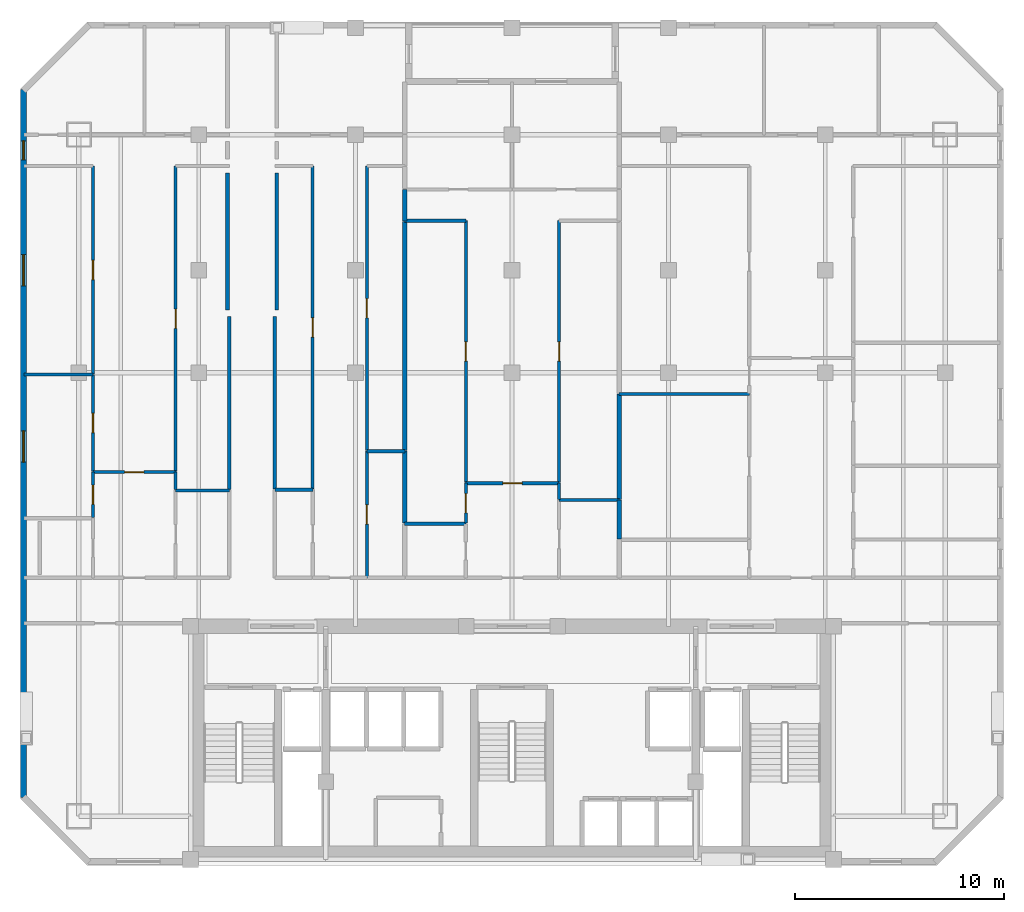
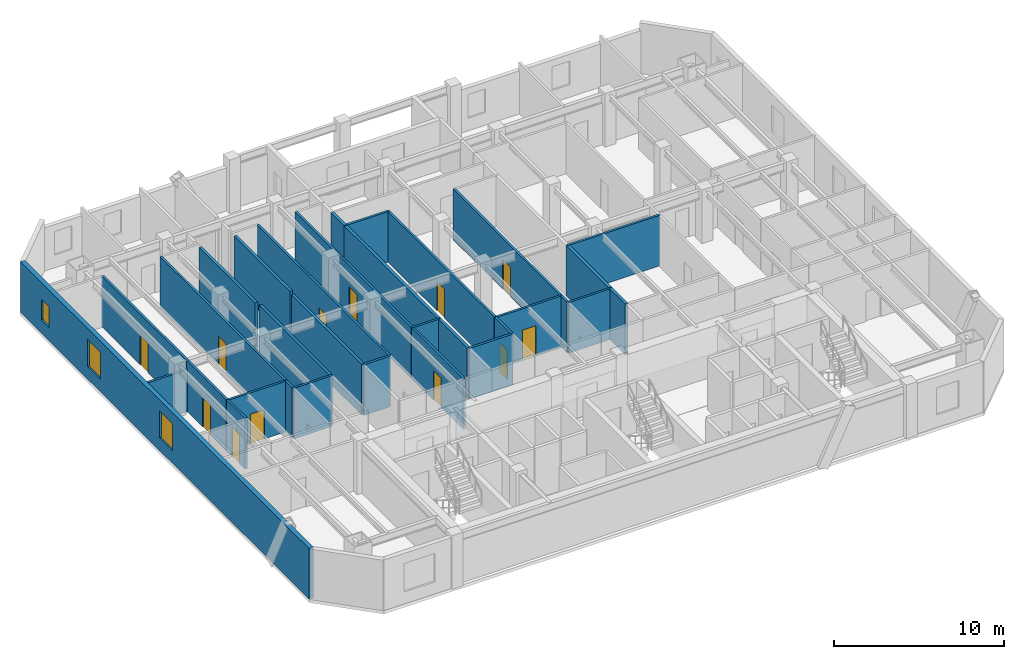
# One storey, part 4 of 8: 32 walls, 12 doors, 3 windows, 15 openings.
"""IFC4 building model written with IfcOpenShell, lengths in metres."""

from ifc_helpers import new_model, si_unit, direction, frame, frame_2d, origin, place, context, subcontext, project, spatial, rectangle, extrude, material, layer, layer_set, type_object, element, fill, save


model = new_model("IFC4")

# Units and contexts
model_context = context("Model", 3, precision=1e-05, world=origin(), true_north=direction((0.0, 1.0)))
body_context = subcontext(model_context, "Body", "Model", "MODEL_VIEW")
ifc_project = project(units=[si_unit("LENGTHUNIT", "METRE"), si_unit("AREAUNIT", "SQUARE_METRE"), si_unit("VOLUMEUNIT", "CUBIC_METRE"), si_unit("PLANEANGLEUNIT", "RADIAN"), si_unit("MASSUNIT", "GRAM", prefix="KILO")], contexts=[model_context])

# Site, building, storey
site_placement = place(None, origin())
site = spatial("IfcSite", under=ifc_project, at=site_placement, CompositionType="ELEMENT")
building_placement = place(site_placement, origin())
building = spatial("IfcBuilding", under=site, at=building_placement, Name="Ventersveld Concourse Tower", CompositionType="ELEMENT")
storey_placement = place(building_placement, frame((0.0, 0.0, 176.0)))
storey = spatial("IfcBuildingStorey", under=building, at=storey_placement, Name="L43", CompositionType="ELEMENT", Elevation=176.0)

# Walls
ifc_material_1 = material(Name="Fire-rated autoclaved aerated masonry blockwork", Category="masonry")
ifc_layer_1 = layer(ifc_material_1, 0.179931640625)
ifc_layer_set_1 = layer_set([ifc_layer_1], Name="Fire-rated autoclaved aerated masonry blockwork")
wall_type_1 = type_object("IfcWallType", Name="WL-CORR-180", PredefinedType="PARTITIONING", material=ifc_layer_set_1)
wall_1_placement = place(storey_placement, frame((15.2099609375, 17.997314453125, 0.0), z_axis=(0.0, 0.0, 1.0), x_axis=(0.0, 1.0, 0.0)))
element("IfcWall", 1, at=wall_1_placement, inside=storey, type_object=wall_type_1, Name="L43 Interior Partition SP-L43-COR-SP-L43-43NW-MEDR1", PredefinedType="PARTITIONING", context=body_context, shape_type="SweptSolid", body=[
    extrude(rectangle(XDim=8.297607421875, YDim=0.179931640625, at=frame_2d((4.14892578125, 0.0))), origin(), (0.0, 0.0, 1.0), 3.6298828125),
])
wall_2_placement = place(storey_placement, frame((17.389892578125, 18.031982421875, 0.0), z_axis=(0.0, 0.0, 1.0), x_axis=(0.0, 1.0, 0.0)))
element("IfcWall", 2, at=wall_2_placement, inside=storey, type_object=wall_type_1, Name="L43 Interior Partition SP-L43-COR-SP-L43-43CW-MEDL0", PredefinedType="PARTITIONING", context=body_context, shape_type="SweptSolid", body=[
    extrude(rectangle(XDim=8.262939453125, YDim=0.179931640625, at=frame_2d((4.13134765625, 0.0))), origin(), (0.0, 0.0, 1.0), 3.6298828125),
])
for number, where, z_axis, x_axis, name in (
    (3, (15.1201171875, 33.175048828125, 0.0), (0.0, 0.0, 1.0), (0.0, -1.0, 0.0), "L43 Room Enclosure Wall SP-L43-43NW-MEDR1"),
    (4, (17.47998046875, 26.60986328125, 0.0), (0.0, 0.0, 1.0), (0.0, 1.0, 0.0), "L43 Room Enclosure Wall SP-L43-43CW-MEDL0"),
):
    element("IfcWall", number, at=place(storey_placement, frame(where, z_axis=z_axis, x_axis=x_axis)), inside=storey, type_object=wall_type_1, Name=name, PredefinedType="PARTITIONING", context=body_context, shape_type="SweptSolid", body=[
        extrude(rectangle(XDim=6.565185546875, YDim=0.179931640625, at=frame_2d((3.28271484375, 0.0))), origin(), (0.0, 0.0, 1.0), 3.6298828125),
    ])
ifc_layer_2 = layer(ifc_material_1, 0.199951171875)
ifc_layer_set_2 = layer_set([ifc_layer_2], Name="Fire-rated autoclaved aerated masonry blockwork")
wall_type_2 = type_object("IfcWallType", Name="WL-DEMISE-200", PredefinedType="PARTITIONING", material=ifc_layer_set_2)
wall_3_placement = place(storey_placement, frame((23.610107421875, 16.38671875, 0.0), z_axis=(0.0, 0.0, 1.0), x_axis=(0.0, 1.0, 0.0)))
element("IfcWall", 5, at=wall_3_placement, inside=storey, type_object=wall_type_2, Name="L43 Interior Partition SP-L43-43CW-KIT-SP-L43-43CM-MEDL0", PredefinedType="PARTITIONING", context=body_context, shape_type="SweptSolid", body=[
    extrude(rectangle(XDim=3.455078125, YDim=0.199951171875, at=frame_2d((1.7275390625, 0.0))), origin(), (0.0, 0.0, 1.0), 3.6298828125),
])
wall_4_placement = place(storey_placement, frame((23.610107421875, 30.875, 0.0), z_axis=(0.0, 0.0, 1.0), x_axis=(0.0, 1.0, 0.0)))
element("IfcWall", 6, at=wall_4_placement, inside=storey, type_object=wall_type_2, Name="L43 Interior Partition SP-L43-43CW-MEDR1-SP-L43-43CM-LIV", PredefinedType="PARTITIONING", context=body_context, shape_type="SweptSolid", body=[
    extrude(rectangle(XDim=1.510009765625, YDim=0.199951171875, at=frame_2d((0.7548828125, 0.0))), origin(), (0.0, 0.0, 1.0), 3.6298828125),
])
wall_5_placement = place(storey_placement, frame((23.610107421875, 19.87158203125, 0.0), z_axis=(0.0, 0.0, 1.0), x_axis=(0.0, 1.0, 0.0)))
element("IfcWall", 7, at=wall_5_placement, inside=storey, type_object=wall_type_2, Name="L43 Interior Partition SP-L43-43CW-MEDR1-SP-L43-43CM-MEDL0", PredefinedType="PARTITIONING", context=body_context, shape_type="SweptSolid", body=[
    extrude(rectangle(XDim=10.973388671875, YDim=0.199951171875, at=frame_2d((5.48681640625, 0.0))), origin(), (0.0, 0.0, 1.0), 3.6298828125),
])
wall_6_placement = place(storey_placement, frame((33.889892578125, 15.635009765625, 0.0), z_axis=(0.0, 0.0, 1.0), x_axis=(0.0, 1.0, 0.0)))
element("IfcWall", 8, at=wall_6_placement, inside=storey, type_object=wall_type_2, Name="L43 Interior Partition SP-L43-43CE-MEDL0-SP-L43-43CM-KIT", PredefinedType="PARTITIONING", context=body_context, shape_type="SweptSolid", body=[
    extrude(rectangle(XDim=1.86767578125, YDim=0.199951171875, at=frame_2d((0.933837890625, 0.0))), origin(), (0.0, 0.0, 1.0), 3.6298828125),
])
wall_7_placement = place(storey_placement, frame((33.889892578125, 17.53271484375, 0.0), z_axis=(0.0, 0.0, 1.0), x_axis=(0.0, 1.0, 0.0)))
element("IfcWall", 9, at=wall_7_placement, inside=storey, type_object=wall_type_2, Name="L43 Interior Partition SP-L43-43CE-MEDL0-SP-L43-43CM-SEMR1", PredefinedType="PARTITIONING", context=body_context, shape_type="SweptSolid", body=[
    extrude(rectangle(XDim=5.046875, YDim=0.199951171875, at=frame_2d((2.5234375, 0.0))), origin(), (0.0, 0.0, 1.0), 3.6298828125),
])

# Wall, opening, door
ifc_material_2 = material(Name="Autoclaved aerated masonry blockwork", Category="masonry")
ifc_layer_3 = layer(ifc_material_2, 0.14990234375)
ifc_layer_set_3 = layer_set([ifc_layer_3], Name="Autoclaved aerated masonry blockwork")
wall_type_3 = type_object("IfcWallType", Name="WL-INT-150", PredefinedType="PARTITIONING", material=ifc_layer_set_3)
wall_8_placement = place(storey_placement, frame((8.67236328125, 18.83349609375, 0.0), z_axis=(0.0, 0.0, 1.0), x_axis=(1.0, 0.0, 0.0)))
wall_8 = element("IfcWall", 10, at=wall_8_placement, inside=storey, type_object=wall_type_3, Name="L43 Interior Partition SP-L43-43NW-FOY-SP-L43-43NW-LIV", PredefinedType="PARTITIONING", context=body_context, shape_type="SweptSolid", body=[
    extrude(rectangle(XDim=3.969970703125, YDim=0.14990234375, at=frame_2d((1.98486328125, 0.0))), origin(), (0.0, 0.0, 1.0), 3.6298828125),
])
opening_1_placement = place(wall_8_placement, frame((1.52490234375, 0.0, 0.0)))
opening_1 = element("IfcOpeningElement", 11, at=opening_1_placement, cuts=wall_8, Name="Opening ID1", PredefinedType="OPENING", context=body_context, shape_type="SweptSolid", body=[
    extrude(rectangle(XDim=0.919921875, YDim=2.10009765625, at=frame_2d((0.4599609375, 1.050048828125))), frame((0.0, 0.0849609375, 0.0), z_axis=(0.0, -1.0, 0.0), x_axis=(1.0, 0.0, 0.0)), (0.0, 0.0, 1.0), 0.169921875),
])
ifc_material_3 = material(Name="Solid-core hardwood veneer timber", Category="wood")
door_type = type_object("IfcDoorType", Name="DR-ROOM-092", OperationType="NOTDEFINED", PredefinedType="DOOR", material=ifc_material_3)
door_1_placement = place(opening_1_placement, origin())
door_1 = element("IfcDoor", 12, at=door_1_placement, inside=storey, type_object=door_type, Name="L43 Interior Door SP-L43-43NW-FOY to SP-L43-43NW-LIV (D-L43-2107)", OperationType="SINGLE_SWING_LEFT", OverallHeight=2.10009765625, OverallWidth=0.919921875, PredefinedType="DOOR", context=body_context, shape_type="SweptSolid", body=[
    extrude(rectangle(XDim=0.919921875, YDim=2.10009765625, at=frame_2d((0.4599609375, 1.050048828125))), frame((0.0, 0.02490234375, 0.0), z_axis=(0.0, -1.0, 0.0), x_axis=(1.0, 0.0, 0.0)), (0.0, 0.0, 1.0), 0.050048828125),
])
fill(opening_1, door_1)

wall_9_placement = place(storey_placement, frame((8.677490234375, 16.659912109375, 0.0), z_axis=(0.0, 0.0, 1.0), x_axis=(0.0, 1.0, 0.0)))
wall_9 = element("IfcWall", 13, at=wall_9_placement, inside=storey, type_object=wall_type_3, Name="L43 Interior Partition SP-L43-43NW-FOY-SP-L43-43NW-MEDL0", PredefinedType="PARTITIONING", context=body_context, shape_type="SweptSolid", body=[
    extrude(rectangle(XDim=2.178466796875, YDim=0.14990234375, at=frame_2d((1.08935546875, 0.0))), origin(), (0.0, 0.0, 1.0), 3.6298828125),
])
opening_2_placement = place(wall_9_placement, frame((0.629150390625, 0.0, 0.0)))
opening_2 = element("IfcOpeningElement", 14, at=opening_2_placement, cuts=wall_9, Name="Opening ID1", PredefinedType="OPENING", context=body_context, shape_type="SweptSolid", body=[
    extrude(rectangle(XDim=0.919921875, YDim=2.10009765625, at=frame_2d((0.4599609375, 1.050048828125))), frame((0.0, 0.0849609375, 0.0), z_axis=(0.0, -1.0, 0.0), x_axis=(1.0, 0.0, 0.0)), (0.0, 0.0, 1.0), 0.169921875),
])
door_2_placement = place(opening_2_placement, origin())
door_2 = element("IfcDoor", 15, at=door_2_placement, inside=storey, type_object=door_type, Name="L43 Interior Door SP-L43-43NW-FOY to SP-L43-43NW-MEDL0 (D-L43-2109)", OperationType="SINGLE_SWING_LEFT", OverallHeight=2.10009765625, OverallWidth=0.919921875, PredefinedType="DOOR", context=body_context, shape_type="SweptSolid", body=[
    extrude(rectangle(XDim=0.919921875, YDim=2.10009765625, at=frame_2d((0.4599609375, 1.050048828125))), frame((0.0, 0.02490234375, 0.0), z_axis=(0.0, -1.0, 0.0), x_axis=(1.0, 0.0, 0.0)), (0.0, 0.0, 1.0), 0.050048828125),
])
fill(opening_2, door_2)

# Wall
wall_10_placement = place(storey_placement, frame((12.637451171875, 17.997314453125, 0.0), z_axis=(0.0, 0.0, 1.0), x_axis=(0.0, 1.0, 0.0)))
element("IfcWall", 16, at=wall_10_placement, inside=storey, type_object=wall_type_3, Name="L43 Interior Partition SP-L43-43NW-FOY-SP-L43-43NW-MEDR1", PredefinedType="PARTITIONING", context=body_context, shape_type="SweptSolid", body=[
    extrude(rectangle(XDim=0.841064453125, YDim=0.14990234375, at=frame_2d((0.42041015625, 0.0))), origin(), (0.0, 0.0, 1.0), 3.6298828125),
])

# Wall, opening, door
wall_11_placement = place(storey_placement, frame((8.677490234375, 18.868408203125, 0.0), z_axis=(0.0, 0.0, 1.0), x_axis=(0.0, 1.0, 0.0)))
wall_11 = element("IfcWall", 17, at=wall_11_placement, inside=storey, type_object=wall_type_3, Name="L43 Interior Partition SP-L43-43NW-LIV-SP-L43-43NW-MEDL0", PredefinedType="PARTITIONING", context=body_context, shape_type="SweptSolid", body=[
    extrude(rectangle(XDim=4.64306640625, YDim=0.14990234375, at=frame_2d((2.321533203125, 0.0))), origin(), (0.0, 0.0, 1.0), 3.6298828125),
])
opening_3_placement = place(wall_11_placement, frame((1.861572265625, 0.0, 0.0)))
opening_3 = element("IfcOpeningElement", 18, at=opening_3_placement, cuts=wall_11, Name="Opening ID1", PredefinedType="OPENING", context=body_context, shape_type="SweptSolid", body=[
    extrude(rectangle(XDim=0.919921875, YDim=2.10009765625, at=frame_2d((0.4599609375, 1.050048828125))), frame((0.0, 0.0849609375, 0.0), z_axis=(0.0, -1.0, 0.0), x_axis=(1.0, 0.0, 0.0)), (0.0, 0.0, 1.0), 0.169921875),
])
door_3_placement = place(opening_3_placement, origin())
door_3 = element("IfcDoor", 19, at=door_3_placement, inside=storey, type_object=door_type, Name="L43 Interior Door SP-L43-43NW-LIV to SP-L43-43NW-MEDL0 (D-L43-2111)", OperationType="SINGLE_SWING_LEFT", OverallHeight=2.10009765625, OverallWidth=0.919921875, PredefinedType="DOOR", context=body_context, shape_type="SweptSolid", body=[
    extrude(rectangle(XDim=0.919921875, YDim=2.10009765625, at=frame_2d((0.4599609375, 1.050048828125))), frame((0.0, 0.02490234375, 0.0), z_axis=(0.0, -1.0, 0.0), x_axis=(1.0, 0.0, 0.0)), (0.0, 0.0, 1.0), 0.050048828125),
])
fill(opening_3, door_3)

wall_12_placement = place(storey_placement, frame((8.677490234375, 23.54150390625, 0.0), z_axis=(0.0, 0.0, 1.0), x_axis=(0.0, 1.0, 0.0)))
wall_12 = element("IfcWall", 20, at=wall_12_placement, inside=storey, type_object=wall_type_3, Name="L43 Interior Partition SP-L43-43NW-LIV-SP-L43-43NW-SEML2", PredefinedType="PARTITIONING", context=body_context, shape_type="SweptSolid", body=[
    extrude(rectangle(XDim=9.96337890625, YDim=0.14990234375, at=frame_2d((4.981689453125, 0.0))), origin(), (0.0, 0.0, 1.0), 3.6298828125),
])
opening_4_placement = place(wall_12_placement, frame((4.521728515625, 0.0, 0.0)))
opening_4 = element("IfcOpeningElement", 21, at=opening_4_placement, cuts=wall_12, Name="Opening ID1", PredefinedType="OPENING", context=body_context, shape_type="SweptSolid", body=[
    extrude(rectangle(XDim=0.919921875, YDim=2.10009765625, at=frame_2d((0.4599609375, 1.050048828125))), frame((0.0, 0.0849609375, 0.0), z_axis=(0.0, -1.0, 0.0), x_axis=(1.0, 0.0, 0.0)), (0.0, 0.0, 1.0), 0.169921875),
])
door_4_placement = place(opening_4_placement, origin())
door_4 = element("IfcDoor", 22, at=door_4_placement, inside=storey, type_object=door_type, Name="L43 Interior Door SP-L43-43NW-LIV to SP-L43-43NW-SEML2 (D-L43-2112)", OperationType="SINGLE_SWING_RIGHT", OverallHeight=2.10009765625, OverallWidth=0.919921875, PredefinedType="DOOR", context=body_context, shape_type="SweptSolid", body=[
    extrude(rectangle(XDim=0.919921875, YDim=2.10009765625, at=frame_2d((0.4599609375, 1.050048828125))), frame((0.0, 0.02490234375, 0.0), z_axis=(0.0, -1.0, 0.0), x_axis=(1.0, 0.0, 0.0)), (0.0, 0.0, 1.0), 0.050048828125),
])
fill(opening_4, door_4)

wall_13_placement = place(storey_placement, frame((12.637451171875, 18.868408203125, 0.0), z_axis=(0.0, 0.0, 1.0), x_axis=(0.0, 1.0, 0.0)))
wall_13 = element("IfcWall", 23, at=wall_13_placement, inside=storey, type_object=wall_type_3, Name="L43 Interior Partition SP-L43-43NW-LIV-SP-L43-43NW-MEDR1", PredefinedType="PARTITIONING", context=body_context, shape_type="SweptSolid", body=[
    extrude(rectangle(XDim=14.636474609375, YDim=0.14990234375, at=frame_2d((7.318359375, 0.0))), origin(), (0.0, 0.0, 1.0), 3.6298828125),
])
opening_5_placement = place(wall_13_placement, frame((6.8583984375, 0.0, 0.0)))
opening_5 = element("IfcOpeningElement", 24, at=opening_5_placement, cuts=wall_13, Name="Opening ID1", PredefinedType="OPENING", context=body_context, shape_type="SweptSolid", body=[
    extrude(rectangle(XDim=0.919921875, YDim=2.10009765625, at=frame_2d((0.4599609375, 1.050048828125))), frame((0.0, 0.0849609375, 0.0), z_axis=(0.0, -1.0, 0.0), x_axis=(1.0, 0.0, 0.0)), (0.0, 0.0, 1.0), 0.169921875),
])
door_5_placement = place(opening_5_placement, origin())
door_5 = element("IfcDoor", 25, at=door_5_placement, inside=storey, type_object=door_type, Name="L43 Interior Door SP-L43-43NW-LIV to SP-L43-43NW-MEDR1 (D-L43-2113)", OperationType="SINGLE_SWING_LEFT", OverallHeight=2.10009765625, OverallWidth=0.919921875, PredefinedType="DOOR", context=body_context, shape_type="SweptSolid", body=[
    extrude(rectangle(XDim=0.919921875, YDim=2.10009765625, at=frame_2d((0.4599609375, 1.050048828125))), frame((0.0, 0.02490234375, 0.0), z_axis=(0.0, -1.0, 0.0), x_axis=(1.0, 0.0, 0.0)), (0.0, 0.0, 1.0), 0.050048828125),
])
fill(opening_5, door_5)

# Walls
wall_14_placement = place(storey_placement, frame((5.37255859375, 23.50634765625, 0.0), z_axis=(0.0, 0.0, 1.0), x_axis=(1.0, 0.0, 0.0)))
element("IfcWall", 26, at=wall_14_placement, inside=storey, type_object=wall_type_3, Name="L43 Interior Partition SP-L43-43NW-MEDL0-SP-L43-43NW-SEML2", PredefinedType="PARTITIONING", context=body_context, shape_type="SweptSolid", body=[
    extrude(rectangle(XDim=3.309814453125, YDim=0.14990234375, at=frame_2d((1.65478515625, 0.0))), origin(), (0.0, 0.0, 1.0), 3.0126953125),
])
wall_15_placement = place(storey_placement, frame((12.63232421875, 17.96240234375, 0.0), z_axis=(0.0, 0.0, 1.0), x_axis=(1.0, 0.0, 0.0)))
element("IfcWall", 27, at=wall_15_placement, inside=storey, type_object=wall_type_3, Name="L43 Interior Partition SP-L43-43NW-KIT-SP-L43-43NW-MEDR1", PredefinedType="PARTITIONING", context=body_context, shape_type="SweptSolid", body=[
    extrude(rectangle(XDim=2.582763671875, YDim=0.14990234375, at=frame_2d((1.29150390625, 0.0))), origin(), (0.0, 0.0, 1.0), 3.6298828125),
])

# Wall, opening, door
wall_16_placement = place(storey_placement, frame((19.20068359375, 18.031982421875, 0.0), z_axis=(0.0, 0.0, 1.0), x_axis=(0.0, 1.0, 0.0)))
wall_16 = element("IfcWall", 28, at=wall_16_placement, inside=storey, type_object=wall_type_3, Name="L43 Interior Partition SP-L43-43CW-LIV-SP-L43-43CW-MEDL0", PredefinedType="PARTITIONING", context=body_context, shape_type="SweptSolid", body=[
    extrude(rectangle(XDim=15.472900390625, YDim=0.14990234375, at=frame_2d((7.736328125, 0.0))), origin(), (0.0, 0.0, 1.0), 3.6298828125),
])
opening_6_placement = place(wall_16_placement, frame((7.276611328125, 0.0, 0.0)))
opening_6 = element("IfcOpeningElement", 29, at=opening_6_placement, cuts=wall_16, Name="Opening ID1", PredefinedType="OPENING", context=body_context, shape_type="SweptSolid", body=[
    extrude(rectangle(XDim=0.919921875, YDim=2.10009765625, at=frame_2d((0.4599609375, 1.050048828125))), frame((0.0, 0.0849609375, 0.0), z_axis=(0.0, -1.0, 0.0), x_axis=(1.0, 0.0, 0.0)), (0.0, 0.0, 1.0), 0.169921875),
])
door_6_placement = place(opening_6_placement, origin())
door_6 = element("IfcDoor", 30, at=door_6_placement, inside=storey, type_object=door_type, Name="L43 Interior Door SP-L43-43CW-LIV to SP-L43-43CW-MEDL0 (D-L43-2117)", OperationType="SINGLE_SWING_LEFT", OverallHeight=2.10009765625, OverallWidth=0.919921875, PredefinedType="DOOR", context=body_context, shape_type="SweptSolid", body=[
    extrude(rectangle(XDim=0.919921875, YDim=2.10009765625, at=frame_2d((0.4599609375, 1.050048828125))), frame((0.0, 0.02490234375, 0.0), z_axis=(0.0, -1.0, 0.0), x_axis=(1.0, 0.0, 0.0)), (0.0, 0.0, 1.0), 0.050048828125),
])
fill(opening_6, door_6)

wall_17_placement = place(storey_placement, frame((21.79931640625, 13.764892578125, 0.0), z_axis=(0.0, 0.0, 1.0), x_axis=(0.0, 1.0, 0.0)))
wall_17 = element("IfcWall", 31, at=wall_17_placement, inside=storey, type_object=wall_type_3, Name="L43 Interior Partition SP-L43-43CW-LIV-SP-L43-43CW-KIT", PredefinedType="PARTITIONING", context=body_context, shape_type="SweptSolid", body=[
    extrude(rectangle(XDim=6.076904296875, YDim=0.14990234375, at=frame_2d((3.03857421875, 0.0))), origin(), (0.0, 0.0, 1.0), 3.6298828125),
])
opening_7_placement = place(wall_17_placement, frame((2.578369140625, 0.0, 0.0)))
opening_7 = element("IfcOpeningElement", 32, at=opening_7_placement, cuts=wall_17, Name="Opening ID1", PredefinedType="OPENING", context=body_context, shape_type="SweptSolid", body=[
    extrude(rectangle(XDim=0.919921875, YDim=2.10009765625, at=frame_2d((0.4599609375, 1.050048828125))), frame((0.0, 0.0849609375, 0.0), z_axis=(0.0, -1.0, 0.0), x_axis=(1.0, 0.0, 0.0)), (0.0, 0.0, 1.0), 0.169921875),
])
door_7_placement = place(opening_7_placement, origin())
door_7 = element("IfcDoor", 33, at=door_7_placement, inside=storey, type_object=door_type, Name="L43 Interior Door SP-L43-43CW-LIV to SP-L43-43CW-KIT (D-L43-2118)", OperationType="SINGLE_SWING_RIGHT", OverallHeight=2.10009765625, OverallWidth=0.919921875, PredefinedType="DOOR", context=body_context, shape_type="SweptSolid", body=[
    extrude(rectangle(XDim=0.919921875, YDim=2.10009765625, at=frame_2d((0.4599609375, 1.050048828125))), frame((0.0, 0.02490234375, 0.0), z_axis=(0.0, -1.0, 0.0), x_axis=(1.0, 0.0, 0.0)), (0.0, 0.0, 1.0), 0.050048828125),
])
fill(opening_7, door_7)

wall_18_placement = place(storey_placement, frame((21.79931640625, 19.87158203125, 0.0), z_axis=(0.0, 0.0, 1.0), x_axis=(0.0, 1.0, 0.0)))
wall_18 = element("IfcWall", 34, at=wall_18_placement, inside=storey, type_object=wall_type_3, Name="L43 Interior Partition SP-L43-43CW-LIV-SP-L43-43CW-MEDR1", PredefinedType="PARTITIONING", context=body_context, shape_type="SweptSolid", body=[
    extrude(rectangle(XDim=13.63330078125, YDim=0.14990234375, at=frame_2d((6.816650390625, 0.0))), origin(), (0.0, 0.0, 1.0), 3.6298828125),
])
opening_8_placement = place(wall_18_placement, frame((6.356689453125, 0.0, 0.0)))
opening_8 = element("IfcOpeningElement", 35, at=opening_8_placement, cuts=wall_18, Name="Opening ID1", PredefinedType="OPENING", context=body_context, shape_type="SweptSolid", body=[
    extrude(rectangle(XDim=0.919921875, YDim=2.10009765625, at=frame_2d((0.4599609375, 1.050048828125))), frame((0.0, 0.0849609375, 0.0), z_axis=(0.0, -1.0, 0.0), x_axis=(1.0, 0.0, 0.0)), (0.0, 0.0, 1.0), 0.169921875),
])
door_8_placement = place(opening_8_placement, origin())
door_8 = element("IfcDoor", 36, at=door_8_placement, inside=storey, type_object=door_type, Name="L43 Interior Door SP-L43-43CW-LIV to SP-L43-43CW-MEDR1 (D-L43-2119)", OperationType="SINGLE_SWING_LEFT", OverallHeight=2.10009765625, OverallWidth=0.919921875, PredefinedType="DOOR", context=body_context, shape_type="SweptSolid", body=[
    extrude(rectangle(XDim=0.919921875, YDim=2.10009765625, at=frame_2d((0.4599609375, 1.050048828125))), frame((0.0, 0.02490234375, 0.0), z_axis=(0.0, -1.0, 0.0), x_axis=(1.0, 0.0, 0.0)), (0.0, 0.0, 1.0), 0.050048828125),
])
fill(opening_8, door_8)

# Walls
wall_19_placement = place(storey_placement, frame((21.794189453125, 19.836669921875, 0.0), z_axis=(0.0, 0.0, 1.0), x_axis=(1.0, 0.0, 0.0)))
element("IfcWall", 37, at=wall_19_placement, inside=storey, type_object=wall_type_3, Name="L43 Interior Partition SP-L43-43CW-KIT-SP-L43-43CW-MEDR1", PredefinedType="PARTITIONING", context=body_context, shape_type="SweptSolid", body=[
    extrude(rectangle(XDim=1.82080078125, YDim=0.14990234375, at=frame_2d((0.910400390625, 0.0))), origin(), (0.0, 0.0, 1.0), 3.6298828125),
])
wall_20_placement = place(storey_placement, frame((33.885009765625, 22.57470703125, 0.0), z_axis=(0.0, 0.0, 1.0), x_axis=(1.0, 0.0, 0.0)))
element("IfcWall", 38, at=wall_20_placement, inside=storey, type_object=wall_type_3, Name="L43 Interior Partition SP-L43-43CE-MEDL0-SP-L43-43CE-DENL2", PredefinedType="PARTITIONING", context=body_context, shape_type="SweptSolid", body=[
    extrude(rectangle(XDim=6.237548828125, YDim=0.14990234375, at=frame_2d((3.11865234375, 0.0))), origin(), (0.0, 0.0, 1.0), 3.6298828125),
])

# Wall, opening, door
wall_21_placement = place(storey_placement, frame((26.532958984375, 18.304931640625, 0.0), z_axis=(0.0, 0.0, 1.0), x_axis=(1.0, 0.0, 0.0)))
wall_21 = element("IfcWall", 39, at=wall_21_placement, inside=storey, type_object=wall_type_3, Name="L43 Interior Partition SP-L43-43CM-FOY-SP-L43-43CM-LIV", PredefinedType="PARTITIONING", context=body_context, shape_type="SweptSolid", body=[
    extrude(rectangle(XDim=4.47607421875, YDim=0.14990234375, at=frame_2d((2.238037109375, 0.0))), origin(), (0.0, 0.0, 1.0), 3.6298828125),
])
opening_9_placement = place(wall_21_placement, frame((1.778076171875, 0.0, 0.0)))
opening_9 = element("IfcOpeningElement", 40, at=opening_9_placement, cuts=wall_21, Name="Opening ID1", PredefinedType="OPENING", context=body_context, shape_type="SweptSolid", body=[
    extrude(rectangle(XDim=0.919921875, YDim=2.10009765625, at=frame_2d((0.4599609375, 1.050048828125))), frame((0.0, 0.0849609375, 0.0), z_axis=(0.0, -1.0, 0.0), x_axis=(1.0, 0.0, 0.0)), (0.0, 0.0, 1.0), 0.169921875),
])
door_9_placement = place(opening_9_placement, origin())
door_9 = element("IfcDoor", 41, at=door_9_placement, inside=storey, type_object=door_type, Name="L43 Interior Door SP-L43-43CM-FOY to SP-L43-43CM-LIV (D-L43-2133)", OperationType="SINGLE_SWING_LEFT", OverallHeight=2.10009765625, OverallWidth=0.919921875, PredefinedType="DOOR", context=body_context, shape_type="SweptSolid", body=[
    extrude(rectangle(XDim=0.919921875, YDim=2.10009765625, at=frame_2d((0.4599609375, 1.050048828125))), frame((0.0, 0.02490234375, 0.0), z_axis=(0.0, -1.0, 0.0), x_axis=(1.0, 0.0, 0.0)), (0.0, 0.0, 1.0), 0.050048828125),
])
fill(opening_9, door_9)

wall_22_placement = place(storey_placement, frame((26.5380859375, 16.38671875, 0.0), z_axis=(0.0, 0.0, 1.0), x_axis=(0.0, 1.0, 0.0)))
wall_22 = element("IfcWall", 42, at=wall_22_placement, inside=storey, type_object=wall_type_3, Name="L43 Interior Partition SP-L43-43CM-FOY-SP-L43-43CM-MEDL0", PredefinedType="PARTITIONING", context=body_context, shape_type="SweptSolid", body=[
    extrude(rectangle(XDim=1.92333984375, YDim=0.14990234375, at=frame_2d((0.961669921875, 0.0))), origin(), (0.0, 0.0, 1.0), 3.6298828125),
])
opening_10_placement = place(wall_22_placement, frame((0.501708984375, 0.0, 0.0)))
opening_10 = element("IfcOpeningElement", 43, at=opening_10_placement, cuts=wall_22, Name="Opening ID1", PredefinedType="OPENING", context=body_context, shape_type="SweptSolid", body=[
    extrude(rectangle(XDim=0.919921875, YDim=2.10009765625, at=frame_2d((0.4599609375, 1.050048828125))), frame((0.0, 0.0849609375, 0.0), z_axis=(0.0, -1.0, 0.0), x_axis=(1.0, 0.0, 0.0)), (0.0, 0.0, 1.0), 0.169921875),
])
door_10_placement = place(opening_10_placement, origin())
door_10 = element("IfcDoor", 44, at=door_10_placement, inside=storey, type_object=door_type, Name="L43 Interior Door SP-L43-43CM-FOY to SP-L43-43CM-MEDL0 (D-L43-2135)", OperationType="SINGLE_SWING_LEFT", OverallHeight=2.10009765625, OverallWidth=0.919921875, PredefinedType="DOOR", context=body_context, shape_type="SweptSolid", body=[
    extrude(rectangle(XDim=0.919921875, YDim=2.10009765625, at=frame_2d((0.4599609375, 1.050048828125))), frame((0.0, 0.02490234375, 0.0), z_axis=(0.0, -1.0, 0.0), x_axis=(1.0, 0.0, 0.0)), (0.0, 0.0, 1.0), 0.050048828125),
])
fill(opening_10, door_10)

# Wall
wall_23_placement = place(storey_placement, frame((31.00390625, 17.53271484375, 0.0), z_axis=(0.0, 0.0, 1.0), x_axis=(0.0, 1.0, 0.0)))
element("IfcWall", 45, at=wall_23_placement, inside=storey, type_object=wall_type_3, Name="L43 Interior Partition SP-L43-43CM-FOY-SP-L43-43CM-SEMR1", PredefinedType="PARTITIONING", context=body_context, shape_type="SweptSolid", body=[
    extrude(rectangle(XDim=0.77734375, YDim=0.14990234375, at=frame_2d((0.388671875, 0.0))), origin(), (0.0, 0.0, 1.0), 3.6298828125),
])

# Wall, opening, door
wall_24_placement = place(storey_placement, frame((26.5380859375, 18.340087890625, 0.0), z_axis=(0.0, 0.0, 1.0), x_axis=(0.0, 1.0, 0.0)))
wall_24 = element("IfcWall", 46, at=wall_24_placement, inside=storey, type_object=wall_type_3, Name="L43 Interior Partition SP-L43-43CM-LIV-SP-L43-43CM-MEDL0", PredefinedType="PARTITIONING", context=body_context, shape_type="SweptSolid", body=[
    extrude(rectangle(XDim=12.544921875, YDim=0.14990234375, at=frame_2d((6.2724609375, 0.0))), origin(), (0.0, 0.0, 1.0), 3.6298828125),
])
opening_11_placement = place(wall_24_placement, frame((5.8125, 0.0, 0.0)))
opening_11 = element("IfcOpeningElement", 47, at=opening_11_placement, cuts=wall_24, Name="Opening ID1", PredefinedType="OPENING", context=body_context, shape_type="SweptSolid", body=[
    extrude(rectangle(XDim=0.919921875, YDim=2.10009765625, at=frame_2d((0.4599609375, 1.050048828125))), frame((0.0, 0.0849609375, 0.0), z_axis=(0.0, -1.0, 0.0), x_axis=(1.0, 0.0, 0.0)), (0.0, 0.0, 1.0), 0.169921875),
])
door_11_placement = place(opening_11_placement, origin())
door_11 = element("IfcDoor", 48, at=door_11_placement, inside=storey, type_object=door_type, Name="L43 Interior Door SP-L43-43CM-LIV to SP-L43-43CM-MEDL0 (D-L43-2137)", OperationType="SINGLE_SWING_LEFT", OverallHeight=2.10009765625, OverallWidth=0.919921875, PredefinedType="DOOR", context=body_context, shape_type="SweptSolid", body=[
    extrude(rectangle(XDim=0.919921875, YDim=2.10009765625, at=frame_2d((0.4599609375, 1.050048828125))), frame((0.0, 0.02490234375, 0.0), z_axis=(0.0, -1.0, 0.0), x_axis=(1.0, 0.0, 0.0)), (0.0, 0.0, 1.0), 0.050048828125),
])
fill(opening_11, door_11)

# Wall
wall_25_placement = place(storey_placement, frame((23.60498046875, 30.8798828125, 0.0), z_axis=(0.0, 0.0, 1.0), x_axis=(1.0, 0.0, 0.0)))
element("IfcWall", 49, at=wall_25_placement, inside=storey, type_object=wall_type_3, Name="L43 Interior Partition SP-L43-43CM-LIV-SP-L43-43CM-MEDL0", PredefinedType="PARTITIONING", context=body_context, shape_type="SweptSolid", body=[
    extrude(rectangle(XDim=2.93798828125, YDim=0.14990234375, at=frame_2d((1.468994140625, 0.0))), origin(), (0.0, 0.0, 1.0), 3.6298828125),
])

# Wall, opening, door
wall_26_placement = place(storey_placement, frame((31.00390625, 18.340087890625, 0.0), z_axis=(0.0, 0.0, 1.0), x_axis=(0.0, 1.0, 0.0)))
wall_26 = element("IfcWall", 50, at=wall_26_placement, inside=storey, type_object=wall_type_3, Name="L43 Interior Partition SP-L43-43CM-LIV-SP-L43-43CM-SEMR1", PredefinedType="PARTITIONING", context=body_context, shape_type="SweptSolid", body=[
    extrude(rectangle(XDim=12.544921875, YDim=0.14990234375, at=frame_2d((6.2724609375, 0.0))), origin(), (0.0, 0.0, 1.0), 3.6298828125),
])
opening_12_placement = place(wall_26_placement, frame((5.8125, 0.0, 0.0)))
opening_12 = element("IfcOpeningElement", 51, at=opening_12_placement, cuts=wall_26, Name="Opening ID1", PredefinedType="OPENING", context=body_context, shape_type="SweptSolid", body=[
    extrude(rectangle(XDim=0.919921875, YDim=2.10009765625, at=frame_2d((0.4599609375, 1.050048828125))), frame((0.0, 0.0849609375, 0.0), z_axis=(0.0, -1.0, 0.0), x_axis=(1.0, 0.0, 0.0)), (0.0, 0.0, 1.0), 0.169921875),
])
door_12_placement = place(opening_12_placement, origin())
door_12 = element("IfcDoor", 52, at=door_12_placement, inside=storey, type_object=door_type, Name="L43 Interior Door SP-L43-43CM-LIV to SP-L43-43CM-SEMR1 (D-L43-2138)", OperationType="SINGLE_SWING_RIGHT", OverallHeight=2.10009765625, OverallWidth=0.919921875, PredefinedType="DOOR", context=body_context, shape_type="SweptSolid", body=[
    extrude(rectangle(XDim=0.919921875, YDim=2.10009765625, at=frame_2d((0.4599609375, 1.050048828125))), frame((0.0, 0.02490234375, 0.0), z_axis=(0.0, -1.0, 0.0), x_axis=(1.0, 0.0, 0.0)), (0.0, 0.0, 1.0), 0.050048828125),
])
fill(opening_12, door_12)

# Wall
wall_27_placement = place(storey_placement, frame((30.9990234375, 17.497802734375, 0.0), z_axis=(0.0, 0.0, 1.0), x_axis=(1.0, 0.0, 0.0)))
element("IfcWall", 53, at=wall_27_placement, inside=storey, type_object=wall_type_3, Name="L43 Interior Partition SP-L43-43CM-KIT-SP-L43-43CM-SEMR1", PredefinedType="PARTITIONING", context=body_context, shape_type="SweptSolid", body=[
    extrude(rectangle(XDim=2.89599609375, YDim=0.14990234375, at=frame_2d((1.447998046875, 0.0))), origin(), (0.0, 0.0, 1.0), 3.6298828125),
])

# Wall, openings, windows
ifc_material_4 = material(Name="Precast concrete C45/55", Category="concrete")
ifc_layer_4 = layer(ifc_material_4, 0.300048828125)
ifc_layer_set_4 = layer_set([ifc_layer_4], Name="Precast concrete C45/55")
wall_type_4 = type_object("IfcWallType", Name="WL-PREC-300", PredefinedType="SOLIDWALL", material=ifc_layer_set_4)
wall_28_placement = place(storey_placement, frame((5.35009765625, 37.159912109375, 0.0), z_axis=(0.0, 0.0, 1.0), x_axis=(0.0, -1.0, 0.0)))
wall_28 = element("IfcWall", 54, at=wall_28_placement, inside=storey, type_object=wall_type_4, Name="L43 Highveld Precast Facade Wall E11", PredefinedType="SOLIDWALL", context=body_context, shape_type="SweptSolid", body=[
    extrude(rectangle(XDim=33.919921875, YDim=0.300048828125, at=frame_2d((16.9599609375, 0.0))), origin(), (0.0, 0.0, 1.0), 3.6298828125),
])
opening_13_placement = place(wall_28_placement, frame((2.4599609375, 0.0, 0.949951171875)))
opening_13 = element("IfcOpeningElement", 55, at=opening_13_placement, cuts=wall_28, Name="Opening W4", PredefinedType="OPENING", context=body_context, shape_type="SweptSolid", body=[
    extrude(rectangle(XDim=0.89990234375, YDim=1.5, at=frame_2d((0.449951171875, 0.75))), frame((0.0, 0.16015625, 0.0), z_axis=(0.0, -1.0, 0.0), x_axis=(1.0, 0.0, 0.0)), (0.0, 0.0, 1.0), 0.320068359375),
])
opening_14_placement = place(wall_28_placement, frame((16.34423828125, 0.0, 0.89990234375)))
opening_14 = element("IfcOpeningElement", 56, at=opening_14_placement, cuts=wall_28, Name="Opening W1", PredefinedType="OPENING", context=body_context, shape_type="SweptSolid", body=[
    extrude(rectangle(XDim=1.5, YDim=1.949951171875, at=frame_2d((0.75, 0.97509765625))), frame((0.0, 0.16015625, 0.0), z_axis=(0.0, -1.0, 0.0), x_axis=(1.0, 0.0, 0.0)), (0.0, 0.0, 1.0), 0.320068359375),
])
opening_15_placement = place(wall_28_placement, frame((7.90673828125, 0.0, 0.89990234375)))
opening_15 = element("IfcOpeningElement", 57, at=opening_15_placement, cuts=wall_28, Name="Opening W1", PredefinedType="OPENING", context=body_context, shape_type="SweptSolid", body=[
    extrude(rectangle(XDim=1.5, YDim=1.949951171875, at=frame_2d((0.75, 0.97509765625))), frame((0.0, 0.16015625, 0.0), z_axis=(0.0, -1.0, 0.0), x_axis=(1.0, 0.0, 0.0)), (0.0, 0.0, 1.0), 0.320068359375),
])
ifc_material_5 = material(Name="Tempered acoustic Low-E IGU", Category="glass")
window_type_1 = type_object("IfcWindowType", Name="WIN-090x150", PartitioningType="SINGLE_PANEL", PredefinedType="WINDOW", material=ifc_material_5)
window_1_placement = place(opening_13_placement, origin())
window_1 = element("IfcWindow", 58, at=window_1_placement, inside=storey, type_object=window_type_1, Name="L43 Punched Low-E Window W-0584", OverallHeight=1.5, OverallWidth=0.89990234375, PartitioningType="SINGLE_PANEL", PredefinedType="WINDOW", context=body_context, shape_type="SweptSolid", body=[
    extrude(rectangle(XDim=0.89990234375, YDim=1.5, at=frame_2d((0.449951171875, 0.75))), frame((0.0, 0.030029296875, 0.0), z_axis=(0.0, -1.0, 0.0), x_axis=(1.0, 0.0, 0.0)), (0.0, 0.0, 1.0), 0.06005859375),
])
fill(opening_13, window_1)
window_type_2 = type_object("IfcWindowType", Name="WIN-150x210", PartitioningType="SINGLE_PANEL", PredefinedType="WINDOW", material=ifc_material_5)
window_2_placement = place(opening_14_placement, origin())
window_2 = element("IfcWindow", 59, at=window_2_placement, inside=storey, type_object=window_type_2, Name="L43 Punched Low-E Window W-0585", OverallHeight=1.949951171875, OverallWidth=1.5, PartitioningType="SINGLE_PANEL", PredefinedType="WINDOW", context=body_context, shape_type="SweptSolid", body=[
    extrude(rectangle(XDim=1.5, YDim=1.949951171875, at=frame_2d((0.75, 0.97509765625))), frame((0.0, 0.030029296875, 0.0), z_axis=(0.0, -1.0, 0.0), x_axis=(1.0, 0.0, 0.0)), (0.0, 0.0, 1.0), 0.06005859375),
])
fill(opening_14, window_2)
window_3_placement = place(opening_15_placement, origin())
window_3 = element("IfcWindow", 60, at=window_3_placement, inside=storey, type_object=window_type_2, Name="L43 Punched Low-E Window W-0586", OverallHeight=1.949951171875, OverallWidth=1.5, PartitioningType="SINGLE_PANEL", PredefinedType="WINDOW", context=body_context, shape_type="SweptSolid", body=[
    extrude(rectangle(XDim=1.5, YDim=1.949951171875, at=frame_2d((0.75, 0.97509765625))), frame((0.0, 0.030029296875, 0.0), z_axis=(0.0, -1.0, 0.0), x_axis=(1.0, 0.0, 0.0)), (0.0, 0.0, 1.0), 0.06005859375),
])
fill(opening_15, window_3)

# Walls
ifc_layer_5 = layer(ifc_material_2, 0.1650390625)
ifc_layer_set_5 = layer_set([ifc_layer_5], Name="Autoclaved aerated masonry blockwork")
wall_type_5 = type_object("IfcWallType", Name="WL-WET-165", PredefinedType="PLUMBINGWALL", material=ifc_layer_set_5)
wall_29_placement = place(storey_placement, frame((17.385009765625, 17.9970703125, 0.0), z_axis=(0.0, 0.0, 1.0), x_axis=(1.0, 0.0, 0.0)))
element("IfcWall", 61, at=wall_29_placement, inside=storey, type_object=wall_type_5, Name="L43 Interior Partition SP-L43-43CW-BATH-SP-L43-43CW-MEDL0", PredefinedType="PLUMBINGWALL", context=body_context, shape_type="SweptSolid", body=[
    extrude(rectangle(XDim=1.82080078125, YDim=0.1650390625, at=frame_2d((0.910400390625, 0.0))), origin(), (0.0, 0.0, 1.0), 3.6298828125),
])
wall_30_placement = place(storey_placement, frame((23.60498046875, 16.351806640625, 0.0), z_axis=(0.0, 0.0, 1.0), x_axis=(1.0, 0.0, 0.0)))
element("IfcWall", 62, at=wall_30_placement, inside=storey, type_object=wall_type_5, Name="L43 Interior Partition SP-L43-43CM-BATH-SP-L43-43CM-MEDL0", PredefinedType="PLUMBINGWALL", context=body_context, shape_type="SweptSolid", body=[
    extrude(rectangle(XDim=2.93798828125, YDim=0.1650390625, at=frame_2d((1.468994140625, 0.0))), origin(), (0.0, 0.0, 1.0), 3.6298828125),
])

save(model, "model.ifc")
